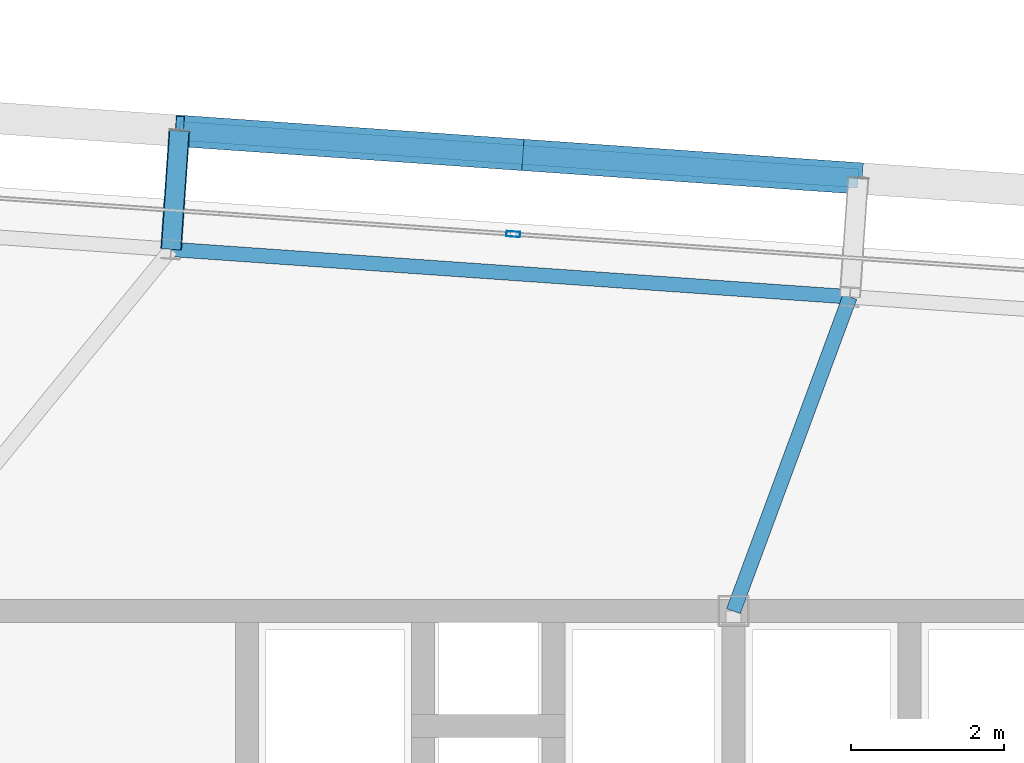
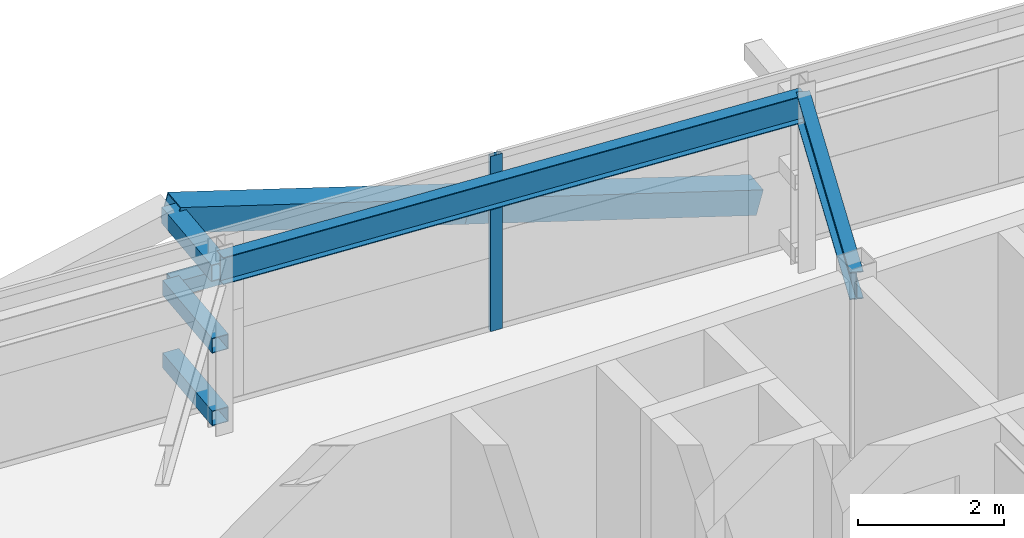
# One storey, part 22 of 39: 7 members, 2 beams, 1 element without a shape of its own.
"""IFC4 building model written with IfcOpenShell, lengths in metres."""

from ifc_helpers import new_model, si_unit, direction, frame, origin, origin_2d, place, context, subcontext, project, spatial, hollow_rectangle, i_section, extrude, source, transform, mapped, material, layer, layer_set, material_profile, profile_set, type_object, element, aggregate, save


model = new_model("IFC4")

# Units and contexts
model_context = context("Model", 3, precision=1e-05, world=origin(), true_north=direction((0.0, 1.0)))
body_context = subcontext(model_context, "Body", "Model", "MODEL_VIEW")
ifc_project = project(units=[si_unit("LENGTHUNIT", "METRE"), si_unit("AREAUNIT", "SQUARE_METRE"), si_unit("VOLUMEUNIT", "CUBIC_METRE"), si_unit("PLANEANGLEUNIT", "RADIAN"), si_unit("MASSUNIT", "GRAM", prefix="KILO")], contexts=[model_context])

# Site, building, storey
site_placement = place(None, origin())
site = spatial("IfcSite", under=ifc_project, at=site_placement, CompositionType="ELEMENT")
building_placement = place(site_placement, origin())
building = spatial("IfcBuilding", under=site, at=building_placement, Name="Taldren Reach Tower", CompositionType="ELEMENT")
storey_placement = place(building_placement, frame((0.0, 0.0, 129.85009765625)))
storey = spatial("IfcBuildingStorey", under=building, at=storey_placement, Name="L39", CompositionType="ELEMENT", Elevation=129.85009765625)

# Members
ifc_material_1 = material(Name="Steel Gr 450 (C450L0)", Category="steel")
ifc_material_profile_1 = material_profile(ifc_material_1, hollow_rectangle(XDim=0.27490234375, YDim=0.27490234375, WallThickness=0.00927734375, at=origin_2d()), Name="275x275x9.3SHS")
ifc_profile_set_1 = profile_set([ifc_material_profile_1], Name="Steel Gr 450 (C450L0)")
member_type_1 = type_object("IfcMemberType", Name="MB-TIE273", PredefinedType="STRUT", material=ifc_profile_set_1)
shared_shape_1 = source(origin(), body_context, "Body", "SweptSolid", [
    extrude(hollow_rectangle(XDim=0.27490234375, YDim=0.27490234375, WallThickness=0.00927734375, at=origin_2d()), origin(), (0.0, 0.0, 1.0), 1.5498046875),
])
member_1_placement = place(storey_placement, frame((31.861328125, 36.719970703125, 2.64990234375), z_axis=(0.069780535098, 0.997562367434, 0.0), x_axis=(-0.997562367434, 0.069780535098, 0.0)))
element("IfcMember", 1, at=member_1_placement, inside=storey, type_object=member_type_1, Name="Exoskeleton diaphragm tie strut B3-N3 L39", PredefinedType="STRUT", context=body_context, shape_type="MappedRepresentation", body=[
    mapped(shared_shape_1, transform((0.0, 0.0, 0.0), scale=1.0)),
])
ifc_material_2 = material(Name="Steel Gr 350 (C350L0)", Category="steel")
ifc_material_profile_2 = material_profile(ifc_material_2, hollow_rectangle(XDim=0.25, YDim=0.25, WallThickness=0.010009765625, at=origin_2d()), Name="250x250x10.0SHS")
ifc_profile_set_2 = profile_set([ifc_material_profile_2], Name="Steel Gr 350 (C350L0)")
member_type_2 = type_object("IfcMemberType", Name="MB-POST250", PredefinedType="POST", material=ifc_profile_set_2)
shared_shape_2 = source(origin(), body_context, "Body", "SweptSolid", [
    extrude(hollow_rectangle(XDim=0.25, YDim=0.25, WallThickness=0.010009765625, at=origin_2d()), origin(), (0.0, 0.0, 1.0), 1.5498046875),
])
for number, where, z_axis, x_axis, name in (
    (2, (31.861328125, 36.719970703125, 0.219970703125), (0.069780535098, 0.997562367434, 0.0), (-0.997562367434, 0.069780535098, 0.0), "Exoskeleton base diaphragm tie strut B3-N3 L39"),
    (3, (31.861328125, 36.719970703125, 1.434814453125), (0.069780535098, 0.997562367434, 0.0), (-0.997562367434, 0.069780535098, 0.0), "Exoskeleton mid-tier diaphragm tie B3-N3 L39"),
):
    element("IfcMember", number, at=place(storey_placement, frame(where, z_axis=z_axis, x_axis=x_axis)), inside=storey, type_object=member_type_2, Name=name, PredefinedType="POST", context=body_context, shape_type="MappedRepresentation", body=[
        mapped(shared_shape_2, transform((0.0, 0.0, 0.0), scale=1.0)),
    ])

# Beams
ifc_material_3 = material(Name="Steel Gr 350 (350PLUS)", Category="steel")
ifc_material_profile_3 = material_profile(ifc_material_3, i_section(OverallWidth=0.18994140625, OverallDepth=0.4541015625, WebThickness=0.008544921875, FlangeThickness=0.0126953125, at=origin_2d()), Name="460UB67.1")
ifc_profile_set_3 = profile_set([ifc_material_profile_3], Name="Steel Gr 350 (350PLUS)")
beam_type_1 = type_object("IfcBeamType", Name="SP-UB460B", PredefinedType="SPANDREL", material=ifc_profile_set_3)
shared_shape_3 = source(origin(), body_context, "Body", "SweptSolid", [
    extrude(i_section(OverallWidth=0.18994140625, OverallDepth=0.4541015625, WebThickness=0.008544921875, FlangeThickness=0.0126953125, at=origin_2d()), origin(), (0.0, 0.0, 1.0), 8.880126953125),
])
beam_1_placement = place(storey_placement, frame((40.7197265625, 36.100341796875, 2.702880859375), z_axis=(-0.997562566276, 0.06977769246, 0.0), x_axis=(-0.06977769246, -0.997562566276, 0.0)))
element("IfcBeam", 4, at=beam_1_placement, inside=storey, type_object=beam_type_1, Name="Perimeter spandrel B3 N4-N3 L39", PredefinedType="SPANDREL", context=body_context, shape_type="MappedRepresentation", body=[
    mapped(shared_shape_3, transform((0.0, 0.0, 0.0), scale=1.0)),
])
ifc_material_profile_4 = material_profile(ifc_material_3, i_section(OverallWidth=0.19091796875, OverallDepth=0.4599609375, WebThickness=0.010009765625, FlangeThickness=0.01611328125, at=origin_2d()), Name="460UB82.1")
ifc_profile_set_4 = profile_set([ifc_material_profile_4], Name="Steel Gr 350 (350PLUS)")
beam_type_2 = type_object("IfcBeamType", Name="BM-UB460A", PredefinedType="BEAM", material=ifc_profile_set_4)
shared_shape_4 = source(origin(), body_context, "Body", "SweptSolid", [
    extrude(i_section(OverallWidth=0.19091796875, OverallDepth=0.4599609375, WebThickness=0.010009765625, FlangeThickness=0.01611328125, at=origin_2d()), origin(), (0.0, 0.0, 1.0), 4.373046875),
])
beam_2_placement = place(storey_placement, frame((39.199951171875, 32.0, 2.699951171875), z_axis=(0.347541638975, 0.937664550454, 0.0), x_axis=(-0.937664550454, 0.347541638975, 0.0)))
element("IfcBeam", 5, at=beam_2_placement, inside=storey, type_object=beam_type_2, Name="Primary floor girder B3-N4 L39", PredefinedType="BEAM", context=body_context, shape_type="MappedRepresentation", body=[
    mapped(shared_shape_4, transform((0.0, 0.0, 0.0), scale=1.0)),
])

# Members
shared_shape_5 = source(origin(), body_context, "Body", "SweptSolid", [
    extrude(hollow_rectangle(XDim=0.25, YDim=0.25, WallThickness=0.010009765625, at=origin_2d()), origin(), (0.0, 0.0, 1.0), 8.880126953125),
])
member_2_placement = place(storey_placement, frame((31.969482421875, 38.26611328125, 1.434814453125), z_axis=(0.997564479639, -0.069750333063, 0.0), x_axis=(0.069750333063, 0.997564479639, 0.0)))
element("IfcMember", 6, at=member_2_placement, inside=storey, type_object=member_type_2, Name="Exoskeleton mid-height ring chord B3-N3 L39", PredefinedType="POST", context=body_context, shape_type="MappedRepresentation", body=[
    mapped(shared_shape_5, transform((0.0, 0.0, 0.0), scale=1.0)),
])
ifc_material_profile_5 = material_profile(ifc_material_1, hollow_rectangle(XDim=0.409912109375, YDim=0.409912109375, WallThickness=0.01611328125, at=origin_2d()), Name="410x410x16.0SHS")
ifc_profile_set_5 = profile_set([ifc_material_profile_5], Name="Steel Gr 450 (C450L0)")
member_type_3 = type_object("IfcMemberType", Name="MB-EXO406", PredefinedType="BRACE", material=ifc_profile_set_5)
shared_shape_6 = source(origin(), body_context, "Body", "SweptSolid", [
    extrude(hollow_rectangle(XDim=0.409912109375, YDim=0.409912109375, WallThickness=0.01611328125, at=origin_2d()), origin(), (0.0, 0.0, 1.0), 4.603271484375),
])
for number, where, z_axis, x_axis, name in (
    (7, (40.827880859375, 37.646728515625, 0.219970703125), (-0.962199253371, 0.067251055742, 0.263912660389), (-0.069722973508, -0.997566392259, 0.0), "Exoskeleton Diagrid Brace B3-N3 L39"),
    (8, (36.398681640625, 37.956298828125, 1.434814453125), (-0.962182351074, 0.067302910567, 0.263961060594), (-0.06977769246, -0.997562566276, 0.0), "Exoskeleton Diagrid Brace B3-N3 L39"),
):
    element("IfcMember", number, at=place(storey_placement, frame(where, z_axis=z_axis, x_axis=x_axis)), inside=storey, type_object=member_type_3, Name=name, PredefinedType="BRACE", context=body_context, shape_type="MappedRepresentation", body=[
        mapped(shared_shape_6, transform((0.0, 0.0, 0.0), scale=1.0)),
    ])

# Curtain wall, member
ifc_material_4 = material(Name="Aluminium and Low-E Glass Unitised System", Category="aluminium")
ifc_layer = layer(ifc_material_4, 0.159912109375)
ifc_layer_set = layer_set([ifc_layer], Name="Aluminium and Low-E Glass Unitised System")
curtain_wall_type = type_object("IfcCurtainWallType", Name="CW-SYS-4", PredefinedType="NOTDEFINED", material=ifc_layer_set)
curtain_wall_placement = place(storey_placement, origin())
curtain_wall = element("IfcCurtainWall", 9, at=curtain_wall_placement, inside=storey, type_object=curtain_wall_type, Name="Unitised curtain wall CW-L39-N", PredefinedType="NOTDEFINED")
ifc_material_5 = material(Name="Anodised Aluminium 6063-T6", Category="aluminium")
ifc_material_profile_6 = material_profile(ifc_material_5, hollow_rectangle(XDim=0.070068359375, YDim=0.179931640625, WallThickness=0.00390625, at=origin_2d()), Name="ALU-180x70x4RHS")
ifc_profile_set_6 = profile_set([ifc_material_profile_6], Name="Anodised Aluminium 6063-T6")
member_type_4 = type_object("IfcMemberType", Name="CW-MUL-180", PredefinedType="MULLION", material=ifc_profile_set_6)
shared_shape_7 = source(origin(), body_context, "Body", "SweptSolid", [
    extrude(hollow_rectangle(XDim=0.070068359375, YDim=0.179931640625, WallThickness=0.00390625, at=origin_2d()), origin(), (0.0, 0.0, 1.0), 2.929931640625),
])
member_3_placement = place(storey_placement, frame((36.326171875, 36.9189453125, 0.0), z_axis=(0.0, 0.0, 1.0), x_axis=(-0.06975651593, -0.99756404731, 0.0)))
member_3 = element("IfcMember", 10, at=member_3_placement, type_object=member_type_4, Name="CW-4 mullion 3", PredefinedType="MULLION", context=body_context, shape_type="MappedRepresentation", body=[
    mapped(shared_shape_7, transform((0.0, 0.0, 0.0), scale=1.0)),
])
aggregate(curtain_wall, [member_3])

save(model, "model.ifc")
